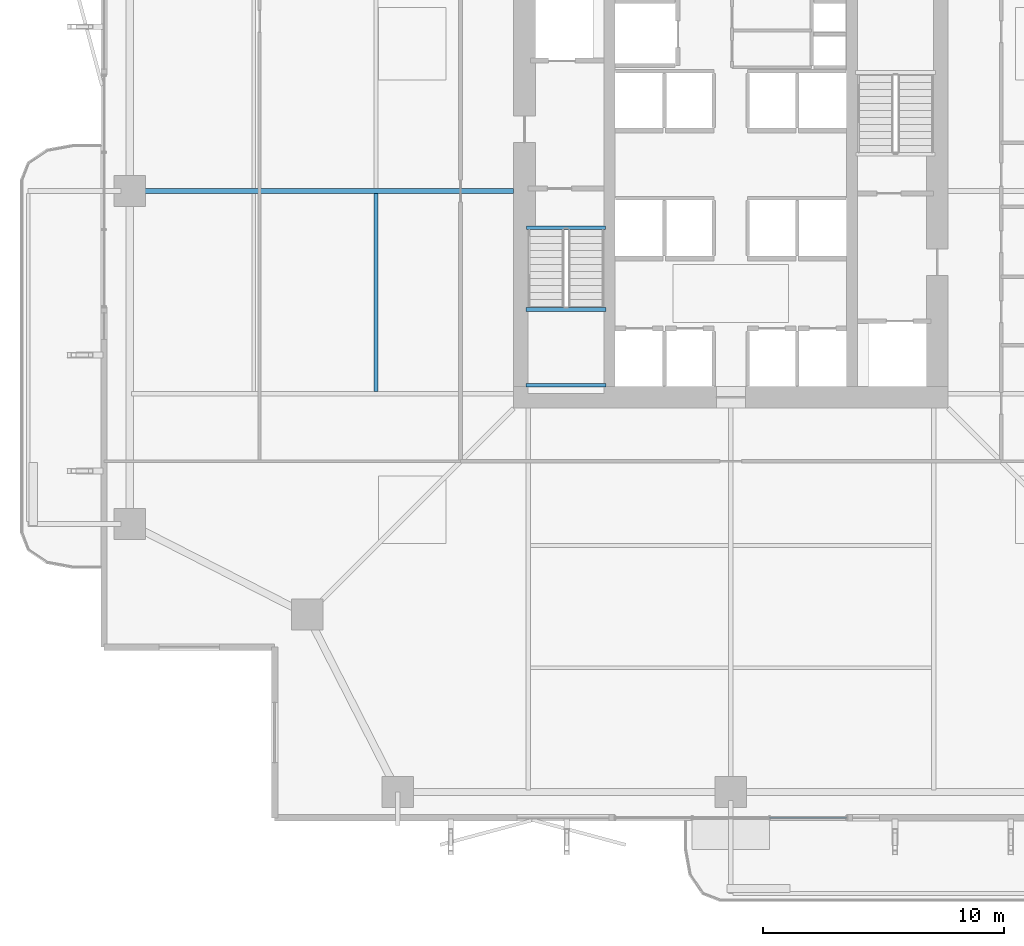
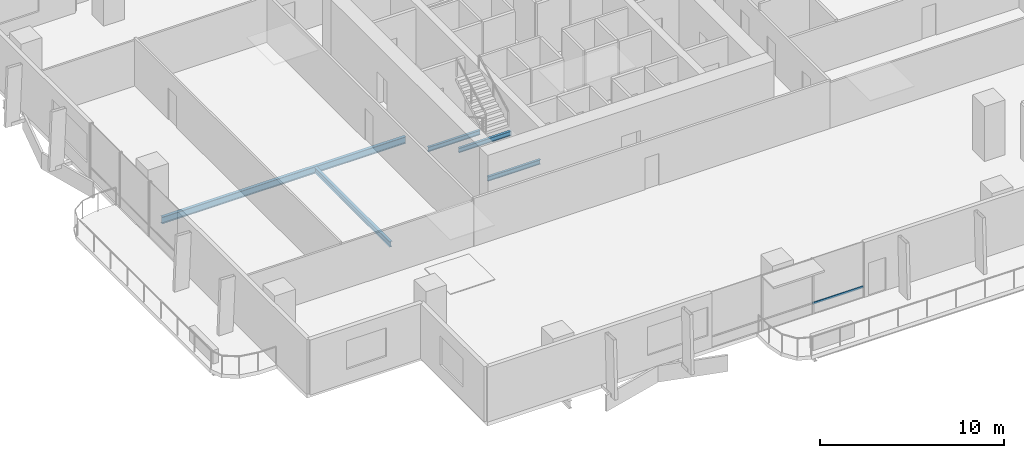
# One storey, part 5 of 24: 5 beams, 1 member, 1 element without a shape of its own.
"""IFC4 building model written with IfcOpenShell, lengths in metres."""

from ifc_helpers import new_model, si_unit, direction, frame, origin, origin_2d, place, context, subcontext, project, spatial, hollow_rectangle, i_section, extrude, material, layer, layer_set, material_profile, profile_set, type_object, element, aggregate, save


model = new_model("IFC4")

# Units and contexts
model_context = context("Model", 3, precision=1e-05, world=origin(), true_north=direction((0.0, 1.0)))
body_context = subcontext(model_context, "Body", "Model", "MODEL_VIEW")
ifc_project = project(units=[si_unit("LENGTHUNIT", "METRE"), si_unit("AREAUNIT", "SQUARE_METRE"), si_unit("VOLUMEUNIT", "CUBIC_METRE"), si_unit("PLANEANGLEUNIT", "RADIAN"), si_unit("MASSUNIT", "GRAM", prefix="KILO")], contexts=[model_context])

# Site, building, storey
site_placement = place(None, origin())
site = spatial("IfcSite", under=ifc_project, at=site_placement, CompositionType="ELEMENT")
building_placement = place(site_placement, origin())
building = spatial("IfcBuilding", under=site, at=building_placement, Name="Belovzor Exchange Tower", CompositionType="ELEMENT")
storey_placement = place(building_placement, frame((0.0, 0.0, 117.300048828125)))
storey = spatial("IfcBuildingStorey", under=building, at=storey_placement, Name="L28", CompositionType="ELEMENT", Elevation=117.300048828125)

# Beams
ifc_material_1 = material(Name="Steel S355", Category="steel")
ifc_material_profile_1 = material_profile(ifc_material_1, i_section(OverallWidth=0.169921875, OverallDepth=0.360107421875, WebThickness=0.008056640625, FlangeThickness=0.0126953125, at=origin_2d()))
ifc_profile_set_1 = profile_set([ifc_material_profile_1], Name="Steel S355")
beam_type_1 = type_object("IfcBeamType", Name="Secondary Infill Floor Joist IPE 360", PredefinedType="BEAM", material=ifc_profile_set_1)
beam_1_placement = place(storey_placement, frame((14.10302734375, 20.4951171875, -0.429931640625), z_axis=(0.0, 1.0, 0.0), x_axis=(-1.0, 0.0, 0.0)))
element("IfcBeam", 1, at=beam_1_placement, inside=storey, type_object=beam_type_1, Name="FJ-360 Secondary Infill Floor Joist IPE 360", PredefinedType="BEAM", context=body_context, shape_type="SweptSolid", body=[
    extrude(i_section(OverallWidth=0.169921875, OverallDepth=0.360107421875, WebThickness=0.008056640625, FlangeThickness=0.0126953125, at=origin_2d()), origin(), (0.0, 0.0, 1.0), 8.2099609375),
])
ifc_material_2 = material(Name="Steel S355", Category="steel")
ifc_material_profile_2 = material_profile(ifc_material_2, i_section(OverallWidth=0.14990234375, OverallDepth=0.300048828125, WebThickness=0.007080078125, FlangeThickness=0.0107421875, at=origin_2d()))
ifc_profile_set_2 = profile_set([ifc_material_profile_2], Name="Steel S355")
beam_type_2 = type_object("IfcBeamType", Name="Secondary Trim Floor Joist IPE 300", PredefinedType="BEAM", material=ifc_profile_set_2)
for number, where, z_axis, x_axis, name in (
    (2, (20.320068359375, 23.889892578125, 1.599853515625), (1.0, 0.0, 0.0), (0.0, 1.0, 0.0), "FJ-300 Secondary Trim Floor Joist IPE 300"),
    (3, (20.320068359375, 20.75, 1.599853515625), (1.0, 0.0, 0.0), (0.0, 1.0, 0.0), "FJ-300 Secondary Trim Floor Joist IPE 300"),
):
    element("IfcBeam", number, at=place(storey_placement, frame(where, z_axis=z_axis, x_axis=x_axis)), inside=storey, type_object=beam_type_2, Name=name, PredefinedType="BEAM", context=body_context, shape_type="SweptSolid", body=[
        extrude(i_section(OverallWidth=0.14990234375, OverallDepth=0.300048828125, WebThickness=0.007080078125, FlangeThickness=0.0107421875, at=origin_2d()), origin(), (0.0, 0.0, 1.0), 3.309814453125),
    ])
beam_2_placement = place(storey_placement, frame((20.340087890625, 27.280029296875, -0.400146484375), z_axis=(1.0, 0.0, 0.0), x_axis=(0.0, 1.0, 0.0)))
element("IfcBeam", 4, at=beam_2_placement, inside=storey, type_object=beam_type_2, Name="FJ-300 Secondary Trim Floor Joist IPE 300", PredefinedType="BEAM", context=body_context, shape_type="SweptSolid", body=[
    extrude(i_section(OverallWidth=0.14990234375, OverallDepth=0.300048828125, WebThickness=0.007080078125, FlangeThickness=0.0107421875, at=origin_2d()), origin(), (0.0, 0.0, 1.0), 3.27001953125),
])

# Curtain wall, member
ifc_material_3 = material(Name="Anodised Aluminium Framing", Category="aluminium")
ifc_layer = layer(ifc_material_3, 0.179931640625)
ifc_layer_set = layer_set([ifc_layer], Name="Anodised Aluminium Framing")
curtain_wall_type = type_object("IfcCurtainWallType", Name="Recessed Loggia Low-Iron Triple-Glazed Curtain Wall", PredefinedType="NOTDEFINED", material=ifc_layer_set)
curtain_wall_placement = place(storey_placement, origin())
curtain_wall = element("IfcCurtainWall", 5, at=curtain_wall_placement, inside=storey, type_object=curtain_wall_type, Name="CW3 Recessed Loggia Low-Iron Triple-Glazed Curtain Wall L28", PredefinedType="NOTDEFINED")
ifc_material_4 = material(Name="Steel S355", Category="steel")
ifc_material_profile_3 = material_profile(ifc_material_4, hollow_rectangle(XDim=0.06005859375, YDim=0.14990234375, WallThickness=0.00390625, at=origin_2d()))
ifc_profile_set_3 = profile_set([ifc_material_profile_3], Name="Steel S355")
member_type = type_object("IfcMemberType", Name="Thermally Broken Curtain Wall Transom 150x60", PredefinedType="USERDEFINED", material=ifc_profile_set_3)
member_placement = place(storey_placement, frame((33.592041015625, 2.830078125, 0.64990234375), z_axis=(-1.0, 0.0, 0.0), x_axis=(0.0, -1.0, 0.0)))
member = element("IfcMember", 6, at=member_placement, type_object=member_type, Name="CW-T150 Curtain Wall Transom 1", ObjectType="TRANSOM", PredefinedType="USERDEFINED", context=body_context, shape_type="SweptSolid", body=[
    extrude(hollow_rectangle(XDim=0.06005859375, YDim=0.14990234375, WallThickness=0.00390625, at=origin_2d()), origin(), (0.0, 0.0, 1.0), 3.18408203125),
])
aggregate(curtain_wall, [member])

# Beam
ifc_material_5 = material(Name="Steel S355", Category="steel")
ifc_material_profile_4 = material_profile(ifc_material_5, i_section(OverallWidth=0.18994140625, OverallDepth=0.449951171875, WebThickness=0.009521484375, FlangeThickness=0.0146484375, at=origin_2d()))
ifc_profile_set_4 = profile_set([ifc_material_profile_4], Name="Steel S355")
beam_type_3 = type_object("IfcBeamType", Name="Zone 2-4 Radial Composite Floor Beam IPE 450", PredefinedType="BEAM", material=ifc_profile_set_4)
beam_3_placement = place(storey_placement, frame((19.800048828125, 28.800048828125, -0.47509765625), z_axis=(-1.0, 0.0, 0.0), x_axis=(0.0, -1.0, 0.0)))
element("IfcBeam", 7, at=beam_3_placement, inside=storey, type_object=beam_type_3, Name="FB-450 Zone 2-4 Radial Composite Floor Beam IPE 450", PredefinedType="BEAM", context=body_context, shape_type="SweptSolid", body=[
    extrude(i_section(OverallWidth=0.18994140625, OverallDepth=0.449951171875, WebThickness=0.009521484375, FlangeThickness=0.0146484375, at=origin_2d()), origin(), (0.0, 0.0, 1.0), 15.328125),
])

save(model, "model.ifc")
